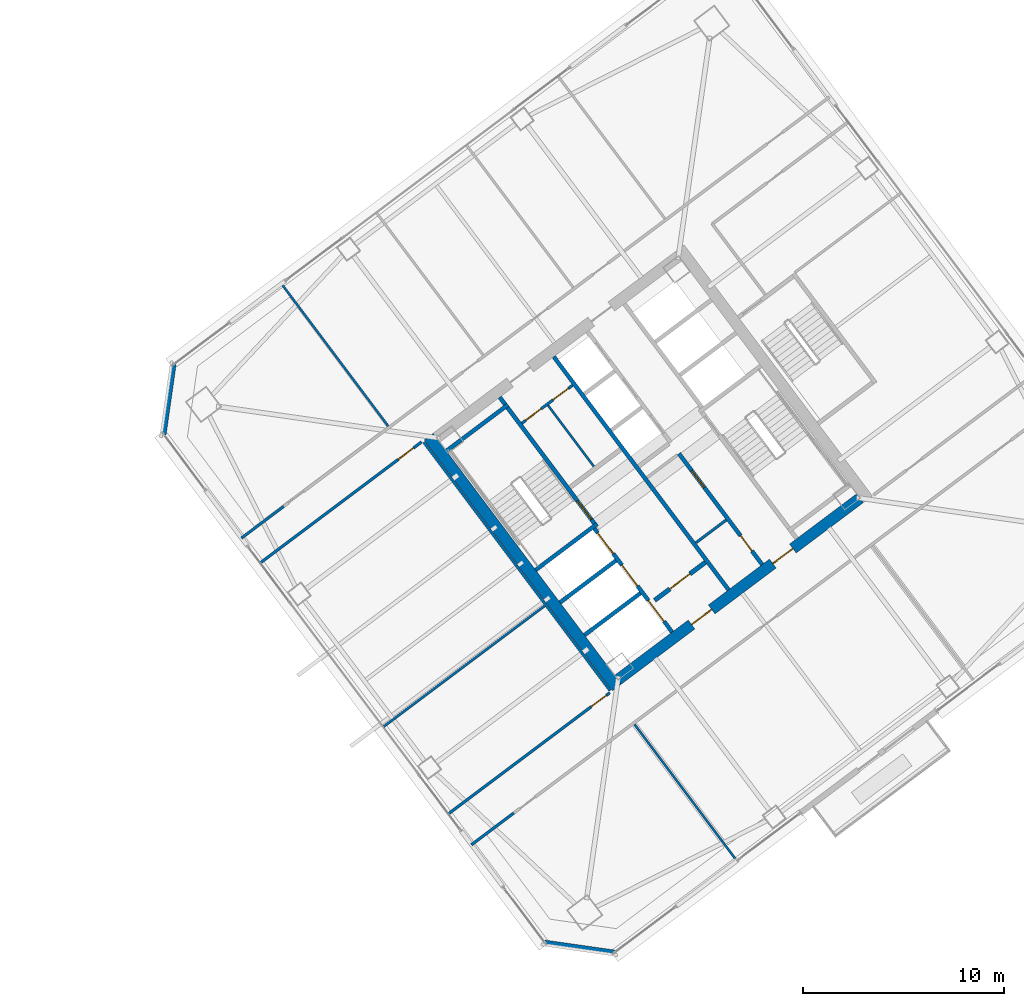
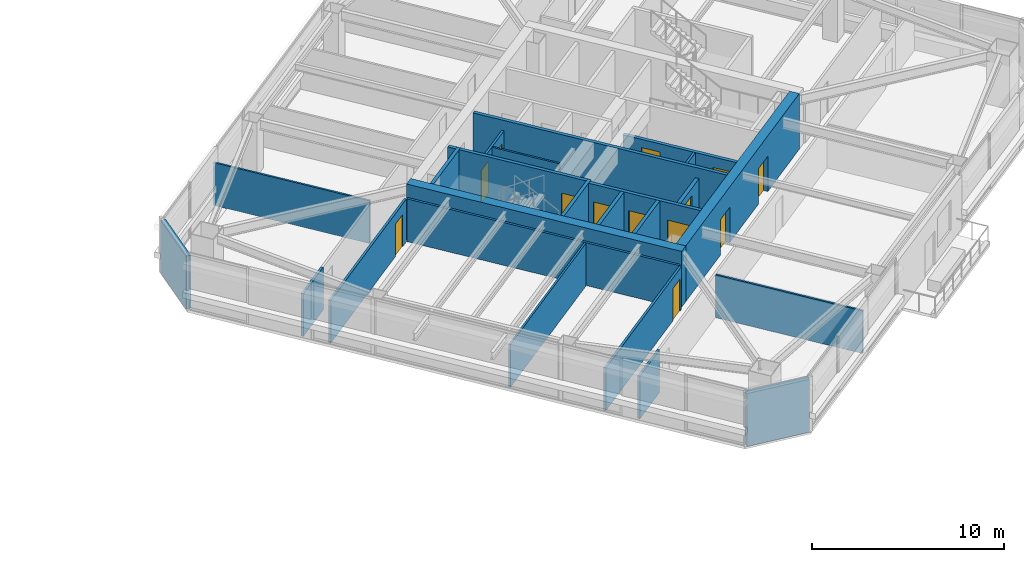
# One storey, part 38 of 46: 24 walls, 13 doors, 13 openings.
"""IFC4 building model written with IfcOpenShell, lengths in metres."""

from ifc_helpers import new_model, si_unit, direction, frame, frame_2d, origin, place, context, subcontext, project, spatial, rectangle, extrude, material, layer, layer_set, type_object, element, fill, save


model = new_model("IFC4")

# Units and contexts
model_context = context("Model", 3, precision=1e-05, world=origin(), true_north=direction((0.0, 1.0)))
body_context = subcontext(model_context, "Body", "Model", "MODEL_VIEW")
ifc_project = project(units=[si_unit("LENGTHUNIT", "METRE"), si_unit("AREAUNIT", "SQUARE_METRE"), si_unit("VOLUMEUNIT", "CUBIC_METRE"), si_unit("PLANEANGLEUNIT", "RADIAN"), si_unit("MASSUNIT", "GRAM", prefix="KILO")], contexts=[model_context])

# Site, building, storey
site_placement = place(None, origin())
site = spatial("IfcSite", under=ifc_project, at=site_placement, CompositionType="ELEMENT")
building_placement = place(site_placement, origin())
building = spatial("IfcBuilding", under=site, at=building_placement, Name="Tashvorn Skyway Center", CompositionType="ELEMENT")
storey_placement = place(building_placement, frame((0.0, 0.0, 139.25)))
storey = spatial("IfcBuildingStorey", under=building, at=storey_placement, Name="L37", CompositionType="ELEMENT", Elevation=139.25)

# Wall
ifc_material_1 = material(Name="Concrete C60/75", Category="concrete")
ifc_layer_1 = layer(ifc_material_1, 0.550048828125)
ifc_layer_set_1 = layer_set([ifc_layer_1], Name="Concrete C60/75")
wall_type_1 = type_object("IfcWallType", Name="WALL-CORE-550", PredefinedType="SHEAR", material=ifc_layer_set_1)
wall_1_placement = place(storey_placement, frame((112.43603515625, 21.076904296875, 0.0), z_axis=(0.0, 0.0, 1.0), x_axis=(-0.600005007985, 0.799996243986, 0.0)))
element("IfcWall", 1, at=wall_1_placement, inside=storey, type_object=wall_type_1, Name="Tower 2 L37 West Core Shear Wall", PredefinedType="SHEAR", context=body_context, shape_type="SweptSolid", body=[
    extrude(rectangle(XDim=15.60009765625, YDim=0.550048828125, at=frame_2d((7.800048828125, 0.0))), origin(), (0.0, 0.0, 1.0), 3.550048828125),
])

# Wall, openings, doors
wall_2_placement = place(storey_placement, frame((124.5390625, 30.498046875, 0.0), z_axis=(0.0, 0.0, 1.0), x_axis=(-0.799998054672, -0.600002593761, 0.0)))
wall_2 = element("IfcWall", 2, at=wall_2_placement, inside=storey, type_object=wall_type_1, Name="Tower 2 L37 South Core Shear Wall", PredefinedType="SHEAR", context=body_context, shape_type="SweptSolid", body=[
    extrude(rectangle(XDim=15.06005859375, YDim=0.550048828125, at=frame_2d((7.530029296875, 0.0))), origin(), (0.0, 0.0, 1.0), 3.550048828125),
])
opening_1_placement = place(wall_2_placement, frame((9.22998046875, 0.0, 0.0)))
opening_1 = element("IfcOpeningElement", 3, at=opening_1_placement, cuts=wall_2, Name="Opening D-FFL-1250", PredefinedType="OPENING", context=body_context, shape_type="SweptSolid", body=[
    extrude(rectangle(XDim=1.25, YDim=2.25, at=frame_2d((0.625, 1.125))), frame((0.0, 0.284912109375, 0.0), z_axis=(0.0, -1.0, 0.0), x_axis=(1.0, 0.0, 0.0)), (0.0, 0.0, 1.0), 0.570068359375),
])
opening_2_placement = place(wall_2_placement, frame((4.179931640625, 0.0, 0.0)))
opening_2 = element("IfcOpeningElement", 4, at=opening_2_placement, cuts=wall_2, Name="Opening D-FFL-1250", PredefinedType="OPENING", context=body_context, shape_type="SweptSolid", body=[
    extrude(rectangle(XDim=1.25, YDim=2.25, at=frame_2d((0.625, 1.125))), frame((0.0, 0.284912109375, 0.0), z_axis=(0.0, -1.0, 0.0), x_axis=(1.0, 0.0, 0.0)), (0.0, 0.0, 1.0), 0.570068359375),
])
ifc_material_2 = material(Name="Hollow galvanized steel fire door assembly", Category="steel")
door_type_1 = type_object("IfcDoorType", Name="DOOR-FFL-1250", OperationType="NOTDEFINED", PredefinedType="DOOR", material=ifc_material_2)
door_1_placement = place(opening_1_placement, origin())
door_1 = element("IfcDoor", 5, at=door_1_placement, inside=storey, type_object=door_type_1, Name="Tower 2 L37 Core South Firefighting Exit Door", OperationType="SINGLE_SWING_LEFT", OverallHeight=2.25, OverallWidth=1.25, PredefinedType="DOOR", context=body_context, shape_type="SweptSolid", body=[
    extrude(rectangle(XDim=1.25, YDim=2.25, at=frame_2d((0.625, 1.125))), frame((0.0, 0.02490234375, 0.0), z_axis=(0.0, -1.0, 0.0), x_axis=(1.0, 0.0, 0.0)), (0.0, 0.0, 1.0), 0.050048828125),
])
fill(opening_1, door_1)
door_2_placement = place(opening_2_placement, origin())
door_2 = element("IfcDoor", 6, at=door_2_placement, inside=storey, type_object=door_type_1, Name="Tower 2 L37 Core South Lift Lobby Door", OperationType="SINGLE_SWING_RIGHT", OverallHeight=2.25, OverallWidth=1.25, PredefinedType="DOOR", context=body_context, shape_type="SweptSolid", body=[
    extrude(rectangle(XDim=1.25, YDim=2.25, at=frame_2d((0.625, 1.125))), frame((0.0, 0.02490234375, 0.0), z_axis=(0.0, -1.0, 0.0), x_axis=(1.0, 0.0, 0.0)), (0.0, 0.0, 1.0), 0.050048828125),
])
fill(opening_2, door_2)

# Walls
ifc_material_3 = material(Name="Precast concrete C40/50", Category="concrete")
ifc_layer_2 = layer(ifc_material_3, 0.280029296875)
ifc_layer_set_2 = layer_set([ifc_layer_2], Name="Precast concrete C40/50")
wall_type_2 = type_object("IfcWallType", Name="WALL-EXT-280", PredefinedType="SOLIDWALL", material=ifc_layer_set_2)
for number, where, z_axis, x_axis, name in (
    (7, (112.340087890625, 7.8798828125, 0.0), (0.0, 0.0, 1.0), (-0.989949493661, 0.141421356237, 0.0), "Tower 2 L37 SW Precast Chamfer Wall"),
    (8, (89.8798828125, 33.659912109375, 0.0), (0.0, 0.0, 1.0), (0.141421356237, 0.989949493661, 0.0), "Tower 2 L37 NW Precast Chamfer Wall"),
):
    element("IfcWall", number, at=place(storey_placement, frame(where, z_axis=z_axis, x_axis=x_axis)), inside=storey, type_object=wall_type_2, Name=name, PredefinedType="SOLIDWALL", context=body_context, shape_type="SweptSolid", body=[
        extrude(rectangle(XDim=3.53564453125, YDim=0.280029296875, at=frame_2d((1.767822265625, 0.0))), origin(), (0.0, 0.0, 1.0), 3.3701171875),
    ])

# Wall, opening, door
ifc_material_4 = material(Name="Concrete C40/50", Category="concrete")
ifc_layer_3 = layer(ifc_material_4, 0.219970703125)
ifc_layer_set_3 = layer_set([ifc_layer_3], Name="Concrete C40/50")
wall_type_3 = type_object("IfcWallType", Name="WALL-FFL-220", PredefinedType="SOLIDWALL", material=ifc_layer_set_3)
wall_3_placement = place(storey_placement, frame((114.31591796875, 25.412109375, 0.0), z_axis=(0.0, 0.0, 1.0), x_axis=(0.800018601094, 0.59997519774, 0.0)))
wall_3 = element("IfcWall", 9, at=wall_3_placement, inside=storey, type_object=wall_type_3, Name="Tower 2 L37 Firefighting Lobby South Wall", PredefinedType="SOLIDWALL", context=body_context, shape_type="SweptSolid", body=[
    extrude(rectangle(XDim=3.14990234375, YDim=0.219970703125, at=frame_2d((1.574951171875, 0.0))), origin(), (0.0, 0.0, 1.0), 2.722900390625),
])
opening_3_placement = place(wall_3_placement, frame((0.949951171875, 0.0, 0.0)))
opening_3 = element("IfcOpeningElement", 10, at=opening_3_placement, cuts=wall_3, Name="Opening D-FFL-1250", PredefinedType="OPENING", context=body_context, shape_type="SweptSolid", body=[
    extrude(rectangle(XDim=1.25, YDim=2.25, at=frame_2d((0.625, 1.125))), frame((0.0, 0.119873046875, 0.0), z_axis=(0.0, -1.0, 0.0), x_axis=(1.0, 0.0, 0.0)), (0.0, 0.0, 1.0), 0.239990234375),
])
door_3_placement = place(opening_3_placement, origin())
door_3 = element("IfcDoor", 11, at=door_3_placement, inside=storey, type_object=door_type_1, Name="Tower 2 L37 Firefighting Lobby Egress Door", OperationType="SINGLE_SWING_LEFT", OverallHeight=2.25, OverallWidth=1.25, PredefinedType="DOOR", context=body_context, shape_type="SweptSolid", body=[
    extrude(rectangle(XDim=1.25, YDim=2.25, at=frame_2d((0.625, 1.125))), frame((0.0, 0.02490234375, 0.0), z_axis=(0.0, -1.0, 0.0), x_axis=(1.0, 0.0, 0.0)), (0.0, 0.0, 1.0), 0.050048828125),
])
fill(opening_3, door_3)

# Walls
ifc_material_5 = material(Name="Gypsum board on cold-formed steel stud framing", Category="steel")
ifc_layer_4 = layer(ifc_material_5, 0.110107421875)
ifc_layer_set_4 = layer_set([ifc_layer_4], Name="Gypsum board on cold-formed steel stud framing")
wall_type_4 = type_object("IfcWallType", Name="WALL-PART-110", PredefinedType="PARTITIONING", material=ifc_layer_set_4)
wall_4_placement = place(storey_placement, frame((101.06201171875, 34.083984375, 0.0), z_axis=(0.0, 0.0, 1.0), x_axis=(-0.6, 0.8, 0.0)))
element("IfcWall", 12, at=wall_4_placement, inside=storey, type_object=wall_type_4, Name="Tower 2 L37 North Suite Partition 1", PredefinedType="PARTITIONING", context=body_context, shape_type="SweptSolid", body=[
    extrude(rectangle(XDim=8.85009765625, YDim=0.110107421875, at=frame_2d((4.425048828125, 0.0))), origin(), (0.0, 0.0, 1.0), 2.722900390625),
])
wall_5_placement = place(storey_placement, frame((118.318115234375, 12.575927734375, 0.0), z_axis=(0.0, 0.0, 1.0), x_axis=(-0.6, 0.8, 0.0)))
element("IfcWall", 13, at=wall_5_placement, inside=storey, type_object=wall_type_4, Name="Tower 2 L37 South Suite Partition 1", PredefinedType="PARTITIONING", context=body_context, shape_type="SweptSolid", body=[
    extrude(rectangle(XDim=8.330078125, YDim=0.110107421875, at=frame_2d((4.1650390625, 0.0))), origin(), (0.0, 0.0, 1.0), 2.722900390625),
])
wall_6_placement = place(storey_placement, frame((100.81591796875, 19.112060546875, 0.0), z_axis=(0.0, 0.0, 1.0), x_axis=(0.800002918023, 0.599996109283, 0.0)))
element("IfcWall", 14, at=wall_6_placement, inside=storey, type_object=wall_type_4, Name="Tower 2 L37 West Mid Partition", PredefinedType="PARTITIONING", context=body_context, shape_type="SweptSolid", body=[
    extrude(rectangle(XDim=10.0400390625, YDim=0.110107421875, at=frame_2d((5.02001953125, 0.0))), origin(), (0.0, 0.0, 1.0), 2.722900390625),
])
ifc_layer_5 = layer(ifc_material_5, 0.135009765625)
ifc_layer_set_5 = layer_set([ifc_layer_5], Name="Gypsum board on cold-formed steel stud framing")
wall_type_5 = type_object("IfcWallType", Name="WALL-PART-135", PredefinedType="PARTITIONING", material=ifc_layer_set_5)
wall_7_placement = place(storey_placement, frame((93.76611328125, 28.511962890625, 0.0), z_axis=(0.0, 0.0, 1.0), x_axis=(0.799977721118, 0.600029704027, 0.0)))
element("IfcWall", 15, at=wall_7_placement, inside=storey, type_object=wall_type_5, Name="Tower 2 L37 North-West Suite South Wall", PredefinedType="PARTITIONING", context=body_context, shape_type="SweptSolid", body=[
    extrude(rectangle(XDim=2.630126953125, YDim=0.135009765625, at=frame_2d((1.31494140625, 0.0))), origin(), (0.0, 0.0, 1.0), 2.722900390625),
])
wall_8_placement = place(storey_placement, frame((105.2080078125, 13.256103515625, 0.0), z_axis=(0.0, 0.0, 1.0), x_axis=(0.80002227902, 0.599970293491, 0.0)))
element("IfcWall", 16, at=wall_8_placement, inside=storey, type_object=wall_type_5, Name="Tower 2 L37 South-West Suite North Wall", PredefinedType="PARTITIONING", context=body_context, shape_type="SweptSolid", body=[
    extrude(rectangle(XDim=2.6298828125, YDim=0.135009765625, at=frame_2d((1.31494140625, 0.0))), origin(), (0.0, 0.0, 1.0), 2.722900390625),
])
wall_9_placement = place(storey_placement, frame((112.10400390625, 20.927978515625, 0.0), z_axis=(0.0, 0.0, 1.0), x_axis=(-0.599994940075, 0.800003794918, 0.0)))
element("IfcWall", 17, at=wall_9_placement, inside=storey, type_object=wall_type_5, Name="Tower 2 L37 West Inner Suite Wall", PredefinedType="PARTITIONING", context=body_context, shape_type="SweptSolid", body=[
    extrude(rectangle(XDim=15.43994140625, YDim=0.135009765625, at=frame_2d((7.719970703125, 0.0))), origin(), (0.0, 0.0, 1.0), 2.722900390625),
])

# Wall, opening, door
wall_10_placement = place(storey_placement, frame((102.72802734375, 33.2958984375, 0.0), z_axis=(0.0, 0.0, 1.0), x_axis=(-0.800002918023, -0.599996109283, 0.0)))
wall_10 = element("IfcWall", 18, at=wall_10_placement, inside=storey, type_object=wall_type_5, Name="Tower 2 L37 West Suite North Wall", PredefinedType="PARTITIONING", context=body_context, shape_type="SweptSolid", body=[
    extrude(rectangle(XDim=10.0400390625, YDim=0.135009765625, at=frame_2d((5.02001953125, 0.0))), origin(), (0.0, 0.0, 1.0), 2.722900390625),
])
opening_4_placement = place(wall_10_placement, frame((0.5, 0.0, 0.0)))
opening_4 = element("IfcOpeningElement", 19, at=opening_4_placement, cuts=wall_10, Name="Opening D-INT-950", PredefinedType="OPENING", context=body_context, shape_type="SweptSolid", body=[
    extrude(rectangle(XDim=0.949951171875, YDim=2.050048828125, at=frame_2d((0.47509765625, 1.02490234375))), frame((0.0, 0.077392578125, 0.0), z_axis=(0.0, -1.0, 0.0), x_axis=(1.0, 0.0, 0.0)), (0.0, 0.0, 1.0), 0.155029296875),
])
ifc_material_6 = material(Name="Solid-core architectural oak veneer door")
door_type_2 = type_object("IfcDoorType", Name="DOOR-INT-950", OperationType="NOTDEFINED", PredefinedType="DOOR", material=ifc_material_6)
door_4_placement = place(opening_4_placement, origin())
door_4 = element("IfcDoor", 20, at=door_4_placement, inside=storey, type_object=door_type_2, Name="Tower 2 L37 Design Studio Door", OperationType="SINGLE_SWING_LEFT", OverallHeight=2.050048828125, OverallWidth=0.949951171875, PredefinedType="DOOR", context=body_context, shape_type="SweptSolid", body=[
    extrude(rectangle(XDim=0.949951171875, YDim=2.050048828125, at=frame_2d((0.47509765625, 1.02490234375))), frame((0.0, 0.02490234375, 0.0), z_axis=(0.0, -1.0, 0.0), x_axis=(1.0, 0.0, 0.0)), (0.0, 0.0, 1.0), 0.050048828125),
])
fill(opening_4, door_4)

wall_11_placement = place(storey_placement, frame((104.055908203125, 14.7919921875, 0.0), z_axis=(0.0, 0.0, 1.0), x_axis=(0.800002918023, 0.599996109283, 0.0)))
wall_11 = element("IfcWall", 21, at=wall_11_placement, inside=storey, type_object=wall_type_5, Name="Tower 2 L37 West Suite South Wall", PredefinedType="PARTITIONING", context=body_context, shape_type="SweptSolid", body=[
    extrude(rectangle(XDim=10.0400390625, YDim=0.135009765625, at=frame_2d((5.02001953125, 0.0))), origin(), (0.0, 0.0, 1.0), 2.722900390625),
])
opening_5_placement = place(wall_11_placement, frame((8.8798828125, 0.0, 0.0)))
opening_5 = element("IfcOpeningElement", 22, at=opening_5_placement, cuts=wall_11, Name="Opening D-INT-950", PredefinedType="OPENING", context=body_context, shape_type="SweptSolid", body=[
    extrude(rectangle(XDim=0.949951171875, YDim=2.050048828125, at=frame_2d((0.47509765625, 1.02490234375))), frame((0.0, 0.077392578125, 0.0), z_axis=(0.0, -1.0, 0.0), x_axis=(1.0, 0.0, 0.0)), (0.0, 0.0, 1.0), 0.155029296875),
])
door_5_placement = place(opening_5_placement, origin())
door_5 = element("IfcDoor", 23, at=door_5_placement, inside=storey, type_object=door_type_2, Name="Tower 2 L37 Public Restroom Door", OperationType="SINGLE_SWING_RIGHT", OverallHeight=2.050048828125, OverallWidth=0.949951171875, PredefinedType="DOOR", context=body_context, shape_type="SweptSolid", body=[
    extrude(rectangle(XDim=0.949951171875, YDim=2.050048828125, at=frame_2d((0.47509765625, 1.02490234375))), frame((0.0, 0.02490234375, 0.0), z_axis=(0.0, -1.0, 0.0), x_axis=(1.0, 0.0, 0.0)), (0.0, 0.0, 1.0), 0.050048828125),
])
fill(opening_5, door_5)

# Wall
ifc_layer_6 = layer(ifc_material_5, 0.110107421875)
ifc_layer_set_6 = layer_set([ifc_layer_6], Name="Gypsum board on cold-formed steel stud framing")
wall_type_6 = type_object("IfcWallType", Name="WALL-RATED-110", PredefinedType="PARTITIONING", material=ifc_layer_set_6)
wall_12_placement = place(storey_placement, frame((111.2958984375, 32.072021484375, 0.0), z_axis=(0.0, 0.0, 1.0), x_axis=(-0.59995887973, 0.800030838552, 0.0)))
element("IfcWall", 24, at=wall_12_placement, inside=storey, type_object=wall_type_6, Name="Tower 2 L37 Core Split Partition", PredefinedType="PARTITIONING", context=body_context, shape_type="SweptSolid", body=[
    extrude(rectangle(XDim=3.7998046875, YDim=0.110107421875, at=frame_2d((1.89990234375, 0.0))), origin(), (0.0, 0.0, 1.0), 2.722900390625),
])

# Wall, openings, doors
ifc_layer_7 = layer(ifc_material_5, 0.135009765625)
ifc_layer_set_7 = layer_set([ifc_layer_7], Name="Gypsum board on cold-formed steel stud framing")
wall_type_7 = type_object("IfcWallType", Name="WALL-RATED-135", PredefinedType="PARTITIONING", material=ifc_layer_set_7)
wall_13_placement = place(storey_placement, frame((107.7099609375, 34.219970703125, 0.0), z_axis=(0.0, 0.0, 1.0), x_axis=(0.799981399002, 0.60002480053, 0.0)))
wall_13 = element("IfcWall", 25, at=wall_13_placement, inside=storey, type_object=wall_type_7, Name="Tower 2 L37 Core Service Lobby Wall", PredefinedType="PARTITIONING", context=body_context, shape_type="SweptSolid", body=[
    extrude(rectangle(XDim=3.150146484375, YDim=0.135009765625, at=frame_2d((1.5751953125, 0.0))), origin(), (0.0, 0.0, 1.0), 2.722900390625),
])
opening_6_placement = place(wall_13_placement, frame((0.25, 0.0, 0.0)))
opening_6 = element("IfcOpeningElement", 26, at=opening_6_placement, cuts=wall_13, Name="Opening D-RT-950", PredefinedType="OPENING", context=body_context, shape_type="SweptSolid", body=[
    extrude(rectangle(XDim=0.949951171875, YDim=2.050048828125, at=frame_2d((0.47509765625, 1.02490234375))), frame((0.0, 0.077392578125, 0.0), z_axis=(0.0, -1.0, 0.0), x_axis=(1.0, 0.0, 0.0)), (0.0, 0.0, 1.0), 0.155029296875),
])
opening_7_placement = place(wall_13_placement, frame((1.949951171875, 0.0, 0.0)))
opening_7 = element("IfcOpeningElement", 27, at=opening_7_placement, cuts=wall_13, Name="Opening D-RT-950", PredefinedType="OPENING", context=body_context, shape_type="SweptSolid", body=[
    extrude(rectangle(XDim=0.949951171875, YDim=2.050048828125, at=frame_2d((0.47509765625, 1.02490234375))), frame((0.0, 0.077392578125, 0.0), z_axis=(0.0, -1.0, 0.0), x_axis=(1.0, 0.0, 0.0)), (0.0, 0.0, 1.0), 0.155029296875),
])
door_type_3 = type_object("IfcDoorType", Name="DOOR-RATED-950", OperationType="NOTDEFINED", PredefinedType="DOOR", material=ifc_material_2)
door_6_placement = place(opening_6_placement, origin())
door_6 = element("IfcDoor", 28, at=door_6_placement, inside=storey, type_object=door_type_3, Name="Tower 2 L37 Core Accessible WC Door", OperationType="SINGLE_SWING_LEFT", OverallHeight=2.050048828125, OverallWidth=0.949951171875, PredefinedType="DOOR", context=body_context, shape_type="SweptSolid", body=[
    extrude(rectangle(XDim=0.949951171875, YDim=2.050048828125, at=frame_2d((0.47509765625, 1.02490234375))), frame((0.0, 0.02490234375, 0.0), z_axis=(0.0, -1.0, 0.0), x_axis=(1.0, 0.0, 0.0)), (0.0, 0.0, 1.0), 0.050048828125),
])
fill(opening_6, door_6)
door_7_placement = place(opening_7_placement, origin())
door_7 = element("IfcDoor", 29, at=door_7_placement, inside=storey, type_object=door_type_3, Name="Tower 2 L37 Core Cleaner Store Door", OperationType="SINGLE_SWING_RIGHT", OverallHeight=2.050048828125, OverallWidth=0.949951171875, PredefinedType="DOOR", context=body_context, shape_type="SweptSolid", body=[
    extrude(rectangle(XDim=0.949951171875, YDim=2.050048828125, at=frame_2d((0.47509765625, 1.02490234375))), frame((0.0, 0.02490234375, 0.0), z_axis=(0.0, -1.0, 0.0), x_axis=(1.0, 0.0, 0.0)), (0.0, 0.0, 1.0), 0.050048828125),
])
fill(opening_7, door_7)

# Walls
wall_14_placement = place(storey_placement, frame((116.3759765625, 28.281982421875, 0.0), z_axis=(0.0, 0.0, 1.0), x_axis=(0.8, 0.6, 0.0)))
element("IfcWall", 30, at=wall_14_placement, inside=storey, type_object=wall_type_7, Name="Tower 2 L37 Freed Core Partition", PredefinedType="PARTITIONING", context=body_context, shape_type="SweptSolid", body=[
    extrude(rectangle(XDim=1.8798828125, YDim=0.135009765625, at=frame_2d((0.93994140625, 0.0))), origin(), (0.0, 0.0, 1.0), 2.722900390625),
])
ifc_layer_8 = layer(ifc_material_4, 0.199951171875)
ifc_layer_set_8 = layer_set([ifc_layer_8], Name="Concrete C40/50")
wall_type_8 = type_object("IfcWallType", Name="WALL-SHAFT-200", PredefinedType="SOLIDWALL", material=ifc_layer_set_8)
for number, where, z_axis, x_axis, name in (
    (31, (110.825927734375, 23.681884765625, 0.0), (0.0, 0.0, 1.0), (0.8, 0.6, 0.0), "Tower 2 L37 FSAE Shaft Divider"),
    (32, (109.60791015625, 25.305908203125, 0.0), (0.0, 0.0, 1.0), (0.8, 0.6, 0.0), "Tower 2 L37 FSAE Shaft Divider"),
):
    element("IfcWall", number, at=place(storey_placement, frame(where, z_axis=z_axis, x_axis=x_axis)), inside=storey, type_object=wall_type_8, Name=name, PredefinedType="SOLIDWALL", context=body_context, shape_type="SweptSolid", body=[
        extrude(rectangle(XDim=3.480224609375, YDim=0.199951171875, at=frame_2d((1.740234375, 0.0))), origin(), (0.0, 0.0, 1.0), 3.3701171875),
    ])

# Wall, openings, doors
wall_15_placement = place(storey_placement, frame((119.669921875, 27.18994140625, 0.0), z_axis=(0.0, 0.0, 1.0), x_axis=(-0.599988677396, 0.800008491828, 0.0)))
wall_15 = element("IfcWall", 33, at=wall_15_placement, inside=storey, type_object=wall_type_8, Name="Tower 2 L37 Low-Rise Core Wall", PredefinedType="SOLIDWALL", context=body_context, shape_type="SweptSolid", body=[
    extrude(rectangle(XDim=6.89990234375, YDim=0.199951171875, at=frame_2d((3.449951171875, 0.0))), origin(), (0.0, 0.0, 1.0), 2.722900390625),
])
opening_8_placement = place(wall_15_placement, frame((0.85009765625, 0.0, 0.0)))
opening_8 = element("IfcOpeningElement", 34, at=opening_8_placement, cuts=wall_15, Name="Opening D-RT-950", PredefinedType="OPENING", context=body_context, shape_type="SweptSolid", body=[
    extrude(rectangle(XDim=0.949951171875, YDim=2.050048828125, at=frame_2d((0.47509765625, 1.02490234375))), frame((0.0, 0.10986328125, 0.0), z_axis=(0.0, -1.0, 0.0), x_axis=(1.0, 0.0, 0.0)), (0.0, 0.0, 1.0), 0.219970703125),
])
opening_9_placement = place(wall_15_placement, frame((4.800048828125, 0.0, 0.0)))
opening_9 = element("IfcOpeningElement", 35, at=opening_9_placement, cuts=wall_15, Name="Opening D-RT-1050", PredefinedType="OPENING", context=body_context, shape_type="SweptSolid", body=[
    extrude(rectangle(XDim=1.050048828125, YDim=2.199951171875, at=frame_2d((0.52490234375, 1.10009765625))), frame((0.0, 0.10986328125, 0.0), z_axis=(0.0, -1.0, 0.0), x_axis=(1.0, 0.0, 0.0)), (0.0, 0.0, 1.0), 0.219970703125),
])
door_type_4 = type_object("IfcDoorType", Name="DOOR-RATED-1050", OperationType="NOTDEFINED", PredefinedType="DOOR", material=ifc_material_2)
door_8_placement = place(opening_9_placement, origin())
door_8 = element("IfcDoor", 36, at=door_8_placement, inside=storey, type_object=door_type_4, Name="Tower 2 L37 Freed Core Room Door", OperationType="SINGLE_SWING_RIGHT", OverallHeight=2.199951171875, OverallWidth=1.050048828125, PredefinedType="DOOR", context=body_context, shape_type="SweptSolid", body=[
    extrude(rectangle(XDim=1.050048828125, YDim=2.199951171875, at=frame_2d((0.52490234375, 1.10009765625))), frame((0.0, 0.02490234375, 0.0), z_axis=(0.0, -1.0, 0.0), x_axis=(1.0, 0.0, 0.0)), (0.0, 0.0, 1.0), 0.050048828125),
])
fill(opening_9, door_8)
door_9_placement = place(opening_8_placement, origin())
door_9 = element("IfcDoor", 37, at=door_9_placement, inside=storey, type_object=door_type_3, Name="Tower 2 L37 Core Print Room Door", OperationType="SINGLE_SWING_LEFT", OverallHeight=2.050048828125, OverallWidth=0.949951171875, PredefinedType="DOOR", context=body_context, shape_type="SweptSolid", body=[
    extrude(rectangle(XDim=0.949951171875, YDim=2.050048828125, at=frame_2d((0.47509765625, 1.02490234375))), frame((0.0, 0.02490234375, 0.0), z_axis=(0.0, -1.0, 0.0), x_axis=(1.0, 0.0, 0.0)), (0.0, 0.0, 1.0), 0.050048828125),
])
fill(opening_8, door_9)

# Wall, opening, door
ifc_layer_9 = layer(ifc_material_4, 0.199951171875)
ifc_layer_set_9 = layer_set([ifc_layer_9], Name="Concrete C40/50")
wall_type_9 = type_object("IfcWallType", Name="WALL-STSHF-200", PredefinedType="SHEAR", material=ifc_layer_set_9)
wall_16_placement = place(storey_placement, frame((111.43994140625, 29.080078125, 0.0), z_axis=(0.0, 0.0, 1.0), x_axis=(-0.59999029481, 0.8000072788, 0.0)))
wall_16 = element("IfcWall", 38, at=wall_16_placement, inside=storey, type_object=wall_type_9, Name="Tower 2 L37 Stair 1 Enclosure Wall", PredefinedType="SHEAR", context=body_context, shape_type="SweptSolid", body=[
    extrude(rectangle(XDim=8.0498046875, YDim=0.199951171875, at=frame_2d((4.02490234375, 0.0))), origin(), (0.0, 0.0, 1.0), 3.3701171875),
])
opening_10_placement = place(wall_16_placement, frame((0.449951171875, 0.0, 0.0)))
opening_10 = element("IfcOpeningElement", 39, at=opening_10_placement, cuts=wall_16, Name="Opening D-ST-1150", PredefinedType="OPENING", context=body_context, shape_type="SweptSolid", body=[
    extrude(rectangle(XDim=1.14990234375, YDim=2.199951171875, at=frame_2d((0.574951171875, 1.10009765625))), frame((0.0, 0.10986328125, 0.0), z_axis=(0.0, -1.0, 0.0), x_axis=(1.0, 0.0, 0.0)), (0.0, 0.0, 1.0), 0.219970703125),
])
door_type_5 = type_object("IfcDoorType", Name="DOOR-STAIR-1150", OperationType="NOTDEFINED", PredefinedType="DOOR", material=ifc_material_2)
door_10_placement = place(opening_10_placement, origin())
door_10 = element("IfcDoor", 40, at=door_10_placement, inside=storey, type_object=door_type_5, Name="Tower 2 L37 Exit Stair 1 Door", OperationType="SINGLE_SWING_RIGHT", OverallHeight=2.199951171875, OverallWidth=1.14990234375, PredefinedType="DOOR", context=body_context, shape_type="SweptSolid", body=[
    extrude(rectangle(XDim=1.14990234375, YDim=2.199951171875, at=frame_2d((0.574951171875, 1.10009765625))), frame((0.0, 0.02490234375, 0.0), z_axis=(0.0, -1.0, 0.0), x_axis=(1.0, 0.0, 0.0)), (0.0, 0.0, 1.0), 0.050048828125),
])
fill(opening_10, door_10)

# Walls
for number, where, z_axis, x_axis, name in (
    (41, (108.39599609375, 26.922119140625, 0.0), (0.0, 0.0, 1.0), (0.800015298837, 0.599979601008, 0.0), "Tower 2 L37 Stair 1 South Wall"),
    (42, (103.9560546875, 32.842041015625, 0.0), (0.0, 0.0, 1.0), (0.800015298837, 0.599979601008, 0.0), "Tower 2 L37 Stair 1 North Wall"),
):
    element("IfcWall", number, at=place(storey_placement, frame(where, z_axis=z_axis, x_axis=x_axis)), inside=storey, type_object=wall_type_9, Name=name, PredefinedType="SHEAR", context=body_context, shape_type="SweptSolid", body=[
        extrude(rectangle(XDim=3.829833984375, YDim=0.199951171875, at=frame_2d((1.9150390625, 0.0))), origin(), (0.0, 0.0, 1.0), 3.3701171875),
    ])
wall_17_placement = place(storey_placement, frame((117.998046875, 25.93603515625, 0.0), z_axis=(0.0, 0.0, 1.0), x_axis=(-0.600002693989, 0.799997979501, 0.0)))
element("IfcWall", 43, at=wall_17_placement, inside=storey, type_object=wall_type_9, Name="Tower 2 L37 Firefighting Lobby East Smoke Barrier", PredefinedType="SHEAR", context=body_context, shape_type="SweptSolid", body=[
    extrude(rectangle(XDim=14.499755859375, YDim=0.199951171875, at=frame_2d((7.25, 0.0))), origin(), (0.0, 0.0, 1.0), 3.3701171875),
])

# Wall, openings, doors
wall_18_placement = place(storey_placement, frame((115.18994140625, 23.830078125, 0.0), z_axis=(0.0, 0.0, 1.0), x_axis=(-0.599993943644, 0.800004542231, 0.0)))
wall_18 = element("IfcWall", 44, at=wall_18_placement, inside=storey, type_object=wall_type_9, Name="Tower 2 L37 FSAE and Goods Shaft Front Wall", PredefinedType="SHEAR", context=body_context, shape_type="SweptSolid", body=[
    extrude(rectangle(XDim=6.449951171875, YDim=0.199951171875, at=frame_2d((3.22509765625, 0.0))), origin(), (0.0, 0.0, 1.0), 3.3701171875),
])
opening_11_placement = place(wall_18_placement, frame((4.875, 0.0, 0.0)))
opening_11 = element("IfcOpeningElement", 45, at=opening_11_placement, cuts=wall_18, Name="Opening LD-FF-T2-1-L37", PredefinedType="OPENING", context=body_context, shape_type="SweptSolid", body=[
    extrude(rectangle(XDim=1.300048828125, YDim=2.25, at=frame_2d((0.64990234375, 1.125))), frame((0.0, 0.10986328125, 0.0), z_axis=(0.0, -1.0, 0.0), x_axis=(1.0, 0.0, 0.0)), (0.0, 0.0, 1.0), 0.219970703125),
])
opening_12_placement = place(wall_18_placement, frame((2.875, 0.0, 0.0)))
opening_12 = element("IfcOpeningElement", 46, at=opening_12_placement, cuts=wall_18, Name="Opening LD-FF-T2-2-L37", PredefinedType="OPENING", context=body_context, shape_type="SweptSolid", body=[
    extrude(rectangle(XDim=1.300048828125, YDim=2.25, at=frame_2d((0.64990234375, 1.125))), frame((0.0, 0.10986328125, 0.0), z_axis=(0.0, -1.0, 0.0), x_axis=(1.0, 0.0, 0.0)), (0.0, 0.0, 1.0), 0.219970703125),
])
opening_13_placement = place(wall_18_placement, frame((0.675048828125, 0.0, 0.0)))
opening_13 = element("IfcOpeningElement", 47, at=opening_13_placement, cuts=wall_18, Name="Opening LD-GD-T2-1-L37", PredefinedType="OPENING", context=body_context, shape_type="SweptSolid", body=[
    extrude(rectangle(XDim=1.300048828125, YDim=2.25, at=frame_2d((0.64990234375, 1.125))), frame((0.0, 0.10986328125, 0.0), z_axis=(0.0, -1.0, 0.0), x_axis=(1.0, 0.0, 0.0)), (0.0, 0.0, 1.0), 0.219970703125),
])
ifc_material_7 = material(Name="Stainless steel heavy-duty landing door", Category="steel")
door_type_6 = type_object("IfcDoorType", Name="DOOR-LIFT-1300", OperationType="SLIDING_TO_LEFT", PredefinedType="DOOR", material=ifc_material_7)
door_11_placement = place(opening_11_placement, origin())
door_11 = element("IfcDoor", 48, at=door_11_placement, inside=storey, type_object=door_type_6, Name="Lift FF-T2-1 L37 Landing Door", OperationType="SLIDING_TO_LEFT", OverallHeight=2.25, OverallWidth=1.300048828125, PredefinedType="DOOR", context=body_context, shape_type="SweptSolid", body=[
    extrude(rectangle(XDim=1.300048828125, YDim=2.25, at=frame_2d((0.64990234375, 1.125))), frame((0.0, 0.02490234375, 0.0), z_axis=(0.0, -1.0, 0.0), x_axis=(1.0, 0.0, 0.0)), (0.0, 0.0, 1.0), 0.050048828125),
])
fill(opening_11, door_11)
door_12_placement = place(opening_12_placement, origin())
door_12 = element("IfcDoor", 49, at=door_12_placement, inside=storey, type_object=door_type_6, Name="Lift FF-T2-2 L37 Landing Door", OperationType="SLIDING_TO_LEFT", OverallHeight=2.25, OverallWidth=1.300048828125, PredefinedType="DOOR", context=body_context, shape_type="SweptSolid", body=[
    extrude(rectangle(XDim=1.300048828125, YDim=2.25, at=frame_2d((0.64990234375, 1.125))), frame((0.0, 0.02490234375, 0.0), z_axis=(0.0, -1.0, 0.0), x_axis=(1.0, 0.0, 0.0)), (0.0, 0.0, 1.0), 0.050048828125),
])
fill(opening_12, door_12)
door_13_placement = place(opening_13_placement, origin())
door_13 = element("IfcDoor", 50, at=door_13_placement, inside=storey, type_object=door_type_6, Name="Lift GD-T2-1 L37 Landing Door", OperationType="SLIDING_TO_LEFT", OverallHeight=2.25, OverallWidth=1.300048828125, PredefinedType="DOOR", context=body_context, shape_type="SweptSolid", body=[
    extrude(rectangle(XDim=1.300048828125, YDim=2.25, at=frame_2d((0.64990234375, 1.125))), frame((0.0, 0.02490234375, 0.0), z_axis=(0.0, -1.0, 0.0), x_axis=(1.0, 0.0, 0.0)), (0.0, 0.0, 1.0), 0.050048828125),
])
fill(opening_13, door_13)

save(model, "model.ifc")
